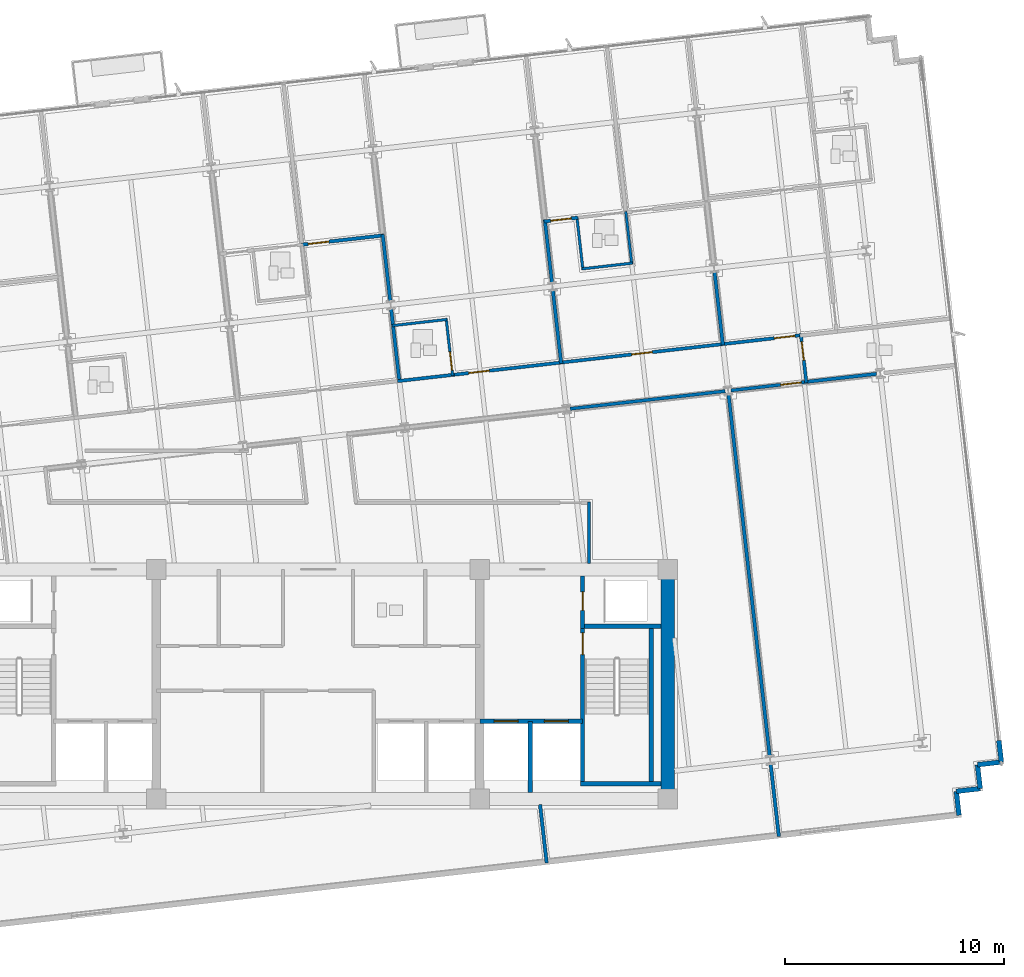
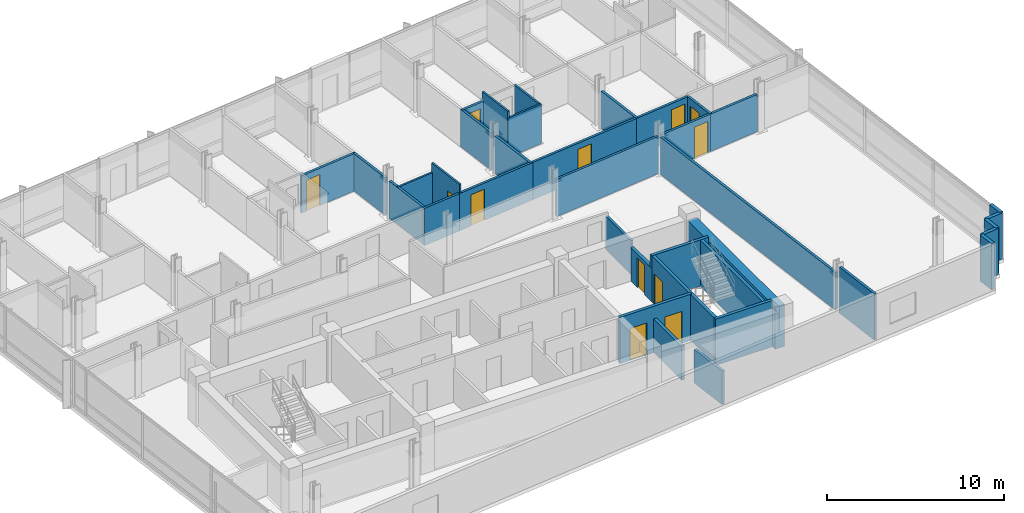
# One storey, part 10 of 17: 37 walls, 12 doors, 12 openings.
"""IFC4 building model written with IfcOpenShell, lengths in metres."""

from ifc_helpers import new_model, si_unit, direction, frame, frame_2d, origin, place, context, subcontext, project, spatial, rectangle, extrude, material, layer, layer_set, type_object, element, fill, save


model = new_model("IFC4")

# Units and contexts
model_context = context("Model", 3, precision=1e-05, world=origin(), true_north=direction((0.0, 1.0)))
body_context = subcontext(model_context, "Body", "Model", "MODEL_VIEW")
ifc_project = project(units=[si_unit("LENGTHUNIT", "METRE"), si_unit("AREAUNIT", "SQUARE_METRE"), si_unit("VOLUMEUNIT", "CUBIC_METRE"), si_unit("PLANEANGLEUNIT", "RADIAN"), si_unit("MASSUNIT", "GRAM", prefix="KILO")], contexts=[model_context])

# Site, building, storey
site_placement = place(None, origin())
site = spatial("IfcSite", under=ifc_project, at=site_placement, CompositionType="ELEMENT")
building_placement = place(site_placement, origin())
building = spatial("IfcBuilding", under=site, at=building_placement, Name="Solmavex Isthmus Hotel", CompositionType="ELEMENT")
storey_placement = place(building_placement, frame((0.0, 0.0, 195.14990234375)))
storey = spatial("IfcBuildingStorey", under=building, at=storey_placement, Name="L52", CompositionType="ELEMENT", Elevation=195.14990234375)

# Walls
ifc_material_1 = material(Name="Precast Concrete C40/50", Category="concrete")
ifc_layer_1 = layer(ifc_material_1, 0.25)
ifc_layer_set_1 = layer_set([ifc_layer_1], Name="Precast Concrete C40/50")
wall_type_1 = type_object("IfcWallType", Name="EW-TWR-250", PredefinedType="STANDARD", material=ifc_layer_set_1)
wall_1_placement = place(storey_placement, frame((31.1474609375, -10.328125, 0.0), z_axis=(0.0, 0.0, 1.0), x_axis=(0.113191877531, -0.993573147212, 0.0)))
element("IfcWall", 1, at=wall_1_placement, inside=storey, type_object=wall_type_1, Name="Serrated Corner Facade Panel L52-21", PredefinedType="STANDARD", context=body_context, shape_type="SweptSolid", body=[
    extrude(rectangle(XDim=0.989990234375, YDim=0.219970703125, at=frame_2d((0.4951171875, 0.0))), origin(), (0.0, 0.0, 1.0), 3.190185546875),
])
wall_2_placement = place(storey_placement, frame((31.259521484375, -11.311767578125, 0.0), z_axis=(0.0, 0.0, 1.0), x_axis=(-0.99357409499, -0.113183557839, 0.0)))
element("IfcWall", 2, at=wall_2_placement, inside=storey, type_object=wall_type_1, Name="Serrated Corner Facade Panel L52-22", PredefinedType="STANDARD", context=body_context, shape_type="SweptSolid", body=[
    extrude(rectangle(XDim=1.10009765625, YDim=0.219970703125, at=frame_2d((0.550048828125, 0.0))), origin(), (0.0, 0.0, 1.0), 3.190185546875),
])
wall_3_placement = place(storey_placement, frame((30.16650390625, -11.436279296875, 0.0), z_axis=(0.0, 0.0, 1.0), x_axis=(0.113427644885, -0.993546259303, 0.0)))
element("IfcWall", 3, at=wall_3_placement, inside=storey, type_object=wall_type_1, Name="Serrated Corner Facade Panel L52-23", PredefinedType="STANDARD", context=body_context, shape_type="SweptSolid", body=[
    extrude(rectangle(XDim=1.099853515625, YDim=0.219970703125, at=frame_2d((0.5498046875, 0.0))), origin(), (0.0, 0.0, 1.0), 3.190185546875),
])
for number, where, z_axis, x_axis, name in (
    (4, (30.291259765625, -12.529052734375, 0.0), (0.0, 0.0, 1.0), (-0.99357409499, -0.113183557839, 0.0), "Serrated Corner Facade Panel L52-24"),
    (5, (29.1982421875, -12.653564453125, 0.0), (0.0, 0.0, 1.0), (0.113183557839, -0.99357409499, 0.0), "Serrated Corner Facade Panel L52-25"),
):
    element("IfcWall", number, at=place(storey_placement, frame(where, z_axis=z_axis, x_axis=x_axis)), inside=storey, type_object=wall_type_1, Name=name, PredefinedType="STANDARD", context=body_context, shape_type="SweptSolid", body=[
        extrude(rectangle(XDim=1.10009765625, YDim=0.219970703125, at=frame_2d((0.550048828125, 0.0))), origin(), (0.0, 0.0, 1.0), 3.190185546875),
    ])

# Wall, opening, door
ifc_material_2 = material(Name="Gypsum plasterboard lining", Category="gypsum")
ifc_layer_2 = layer(ifc_material_2, 0.159912109375)
ifc_layer_set_2 = layer_set([ifc_layer_2], Name="Gypsum plasterboard lining")
wall_type_2 = type_object("IfcWallType", Name="IW-COMP-160", PredefinedType="PARTITIONING", material=ifc_layer_set_2)
wall_4_placement = place(storey_placement, frame((-0.778076171875, 12.3515625, 0.0), z_axis=(0.0, 0.0, 1.0), x_axis=(0.993567388358, 0.113242416041, 0.0)))
wall_4 = element("IfcWall", 6, at=wall_4_placement, inside=storey, type_object=wall_type_2, Name="Interior Partition Wall W-L52-P044", PredefinedType="PARTITIONING", context=body_context, shape_type="SweptSolid", body=[
    extrude(rectangle(XDim=3.802978515625, YDim=0.159912109375, at=frame_2d((1.9013671875, 0.0))), origin(), (0.0, 0.0, 1.0), 2.572509765625),
])
opening_1_placement = place(wall_4_placement, frame((0.331787109375, 0.0, 0.0)))
opening_1 = element("IfcOpeningElement", 7, at=opening_1_placement, cuts=wall_4, Name="Opening ID-C095", PredefinedType="OPENING", context=body_context, shape_type="SweptSolid", body=[
    extrude(rectangle(XDim=0.949951171875, YDim=2.14990234375, at=frame_2d((0.47509765625, 1.074951171875))), frame((0.0, 0.08984375, 0.0), z_axis=(0.0, -1.0, 0.0), x_axis=(1.0, 0.0, 0.0)), (0.0, 0.0, 1.0), 0.179931640625),
])
ifc_material_3 = material(Name="Hardwood timber", Category="wood")
door_type_1 = type_object("IfcDoorType", Name="IDR-FD60-0950", OperationType="NOTDEFINED", PredefinedType="DOOR", material=ifc_material_3)
door_1_placement = place(opening_1_placement, origin())
door_1 = element("IfcDoor", 8, at=door_1_placement, inside=storey, type_object=door_type_1, Name="Diplomatic Hospitality Suite Sitting Lounge Door L52-09", OperationType="SINGLE_SWING_LEFT", OverallHeight=2.14990234375, OverallWidth=0.949951171875, PredefinedType="DOOR", context=body_context, shape_type="SweptSolid", body=[
    extrude(rectangle(XDim=0.949951171875, YDim=2.14990234375, at=frame_2d((0.47509765625, 1.074951171875))), frame((0.0, 0.02490234375, 0.0), z_axis=(0.0, -1.0, 0.0), x_axis=(1.0, 0.0, 0.0)), (0.0, 0.0, 1.0), 0.050048828125),
])
fill(opening_1, door_1)

# Walls
wall_5_placement = place(storey_placement, frame((2.9560546875, 12.8173828125, 0.0), z_axis=(0.0, 0.0, 1.0), x_axis=(0.113238680134, -0.993567814153, 0.0)))
element("IfcWall", 9, at=wall_5_placement, inside=storey, type_object=wall_type_2, Name="Interior Partition Wall W-L52-P048", PredefinedType="PARTITIONING", context=body_context, shape_type="SweptSolid", body=[
    extrude(rectangle(XDim=3.063720703125, YDim=0.159912109375, at=frame_2d((1.53173828125, 0.0))), origin(), (0.0, 0.0, 1.0), 2.572509765625),
])
wall_6_placement = place(storey_placement, frame((3.3427734375, 9.4228515625, 0.0), z_axis=(0.0, 0.0, 1.0), x_axis=(0.113229088195, -0.993568907317, 0.0)))
element("IfcWall", 10, at=wall_6_placement, inside=storey, type_object=wall_type_2, Name="Interior Partition Wall W-L52-P049", PredefinedType="PARTITIONING", context=body_context, shape_type="SweptSolid", body=[
    extrude(rectangle(XDim=3.361572265625, YDim=0.159912109375, at=frame_2d((1.6806640625, 0.0))), origin(), (0.0, 0.0, 1.0), 2.572509765625),
])
wall_7_placement = place(storey_placement, frame((10.3720703125, 13.503173828125, 0.0), z_axis=(0.0, 0.0, 1.0), x_axis=(0.113271679876, -0.993564052559, 0.0)))
element("IfcWall", 11, at=wall_7_placement, inside=storey, type_object=wall_type_2, Name="Interior Partition Wall W-L52-P056", PredefinedType="PARTITIONING", context=body_context, shape_type="SweptSolid", body=[
    extrude(rectangle(XDim=2.905517578125, YDim=0.159912109375, at=frame_2d((1.45263671875, 0.0))), origin(), (0.0, 0.0, 1.0), 2.572509765625),
])
wall_8_placement = place(storey_placement, frame((10.740966796875, 10.265869140625, 0.0), z_axis=(0.0, 0.0, 1.0), x_axis=(0.113220917918, -0.993569838384, 0.0)))
element("IfcWall", 12, at=wall_8_placement, inside=storey, type_object=wall_type_2, Name="Interior Partition Wall W-L52-P057", PredefinedType="PARTITIONING", context=body_context, shape_type="SweptSolid", body=[
    extrude(rectangle(XDim=3.36181640625, YDim=0.159912109375, at=frame_2d((1.680908203125, 0.0))), origin(), (0.0, 0.0, 1.0), 2.572509765625),
])

# Wall, opening, door
wall_9_placement = place(storey_placement, frame((10.341796875, 13.417236328125, 0.0), z_axis=(0.0, 0.0, 1.0), x_axis=(0.993573147212, 0.113191877531, 0.0)))
wall_9 = element("IfcWall", 13, at=wall_9_placement, inside=storey, type_object=wall_type_2, Name="Interior Partition Wall W-L52-P060", PredefinedType="PARTITIONING", context=body_context, shape_type="SweptSolid", body=[
    extrude(rectangle(XDim=1.552978515625, YDim=0.159912109375, at=frame_2d((0.7763671875, 0.0))), origin(), (0.0, 0.0, 1.0), 2.572509765625),
])
opening_2_placement = place(wall_9_placement, frame((0.301513671875, 0.0, 0.0)))
opening_2 = element("IfcOpeningElement", 14, at=opening_2_placement, cuts=wall_9, Name="Opening ID-C095", PredefinedType="OPENING", context=body_context, shape_type="SweptSolid", body=[
    extrude(rectangle(XDim=0.949951171875, YDim=2.14990234375, at=frame_2d((0.47509765625, 1.074951171875))), frame((0.0, 0.08984375, 0.0), z_axis=(0.0, -1.0, 0.0), x_axis=(1.0, 0.0, 0.0)), (0.0, 0.0, 1.0), 0.179931640625),
])
door_2_placement = place(opening_2_placement, origin())
door_2 = element("IfcDoor", 15, at=door_2_placement, inside=storey, type_object=door_type_1, Name="Premier Suite Master Bedroom Door L52-14", OperationType="SINGLE_SWING_RIGHT", OverallHeight=2.14990234375, OverallWidth=0.949951171875, PredefinedType="DOOR", context=body_context, shape_type="SweptSolid", body=[
    extrude(rectangle(XDim=0.949951171875, YDim=2.14990234375, at=frame_2d((0.47509765625, 1.074951171875))), frame((0.0, 0.02490234375, 0.0), z_axis=(0.0, -1.0, 0.0), x_axis=(1.0, 0.0, 0.0)), (0.0, 0.0, 1.0), 0.050048828125),
])
fill(opening_2, door_2)

# Walls
wall_10_placement = place(storey_placement, frame((18.13916015625, 11.108642578125, 0.0), z_axis=(0.0, 0.0, 1.0), x_axis=(0.113229088195, -0.993568907317, 0.0)))
element("IfcWall", 16, at=wall_10_placement, inside=storey, type_object=wall_type_2, Name="Interior Partition Wall W-L52-P066", PredefinedType="PARTITIONING", context=body_context, shape_type="SweptSolid", body=[
    extrude(rectangle(XDim=3.361572265625, YDim=0.159912109375, at=frame_2d((1.6806640625, 0.0))), origin(), (0.0, 0.0, 1.0), 2.572509765625),
])
wall_11_placement = place(storey_placement, frame((25.546142578125, 6.44580078125, 0.0), z_axis=(0.0, 0.0, 1.0), x_axis=(-0.993568592225, -0.113231853041, 0.0)))
element("IfcWall", 17, at=wall_11_placement, inside=storey, type_object=wall_type_2, Name="Interior Partition Wall W-L52-P082", PredefinedType="PARTITIONING", context=body_context, shape_type="SweptSolid", body=[
    extrude(rectangle(XDim=3.281494140625, YDim=0.159912109375, at=frame_2d((1.640625, 0.0))), origin(), (0.0, 0.0, 1.0), 2.572509765625),
])
wall_12_placement = place(storey_placement, frame((10.154541015625, -13.26025390625, 0.0), z_axis=(0.0, 0.0, 1.0), x_axis=(0.113197562906, -0.993572499495, 0.0)))
element("IfcWall", 18, at=wall_12_placement, inside=storey, type_object=wall_type_2, Name="Interior Partition Wall W-L52-P085", PredefinedType="PARTITIONING", context=body_context, shape_type="SweptSolid", body=[
    extrude(rectangle(XDim=2.68310546875, YDim=0.159912109375, at=frame_2d((1.341552734375, 0.0))), origin(), (0.0, 0.0, 1.0), 2.3251953125),
])
wall_13_placement = place(storey_placement, frame((18.778564453125, 5.4970703125, 0.0), z_axis=(0.0, 0.0, 1.0), x_axis=(0.113202873157, -0.993571894484, 0.0)))
element("IfcWall", 19, at=wall_13_placement, inside=storey, type_object=wall_type_2, Name="Interior Partition Wall W-L52-P086", PredefinedType="PARTITIONING", context=body_context, shape_type="SweptSolid", body=[
    extrude(rectangle(XDim=16.647216796875, YDim=0.159912109375, at=frame_2d((8.32373046875, 0.0))), origin(), (0.0, 0.0, 1.0), 2.572509765625),
])
wall_14_placement = place(storey_placement, frame((20.702880859375, -11.3935546875, 0.0), z_axis=(0.0, 0.0, 1.0), x_axis=(0.113243883011, -0.993567221158, 0.0)))
element("IfcWall", 20, at=wall_14_placement, inside=storey, type_object=wall_type_2, Name="Interior Partition Wall W-L52-P087", PredefinedType="PARTITIONING", context=body_context, shape_type="SweptSolid", body=[
    extrude(rectangle(XDim=3.34375, YDim=0.159912109375, at=frame_2d((1.671875, 0.0))), origin(), (0.0, 0.0, 1.0), 3.190185546875),
])

# Wall, opening, door
ifc_layer_3 = layer(ifc_material_2, 0.14990234375)
ifc_layer_set_3 = layer_set([ifc_layer_3], Name="Gypsum plasterboard lining")
wall_type_3 = type_object("IfcWallType", Name="IW-CORR-150", PredefinedType="PARTITIONING", material=ifc_layer_set_3)
wall_15_placement = place(storey_placement, frame((6.07177734375, 6.390625, 0.0), z_axis=(0.0, 0.0, 1.0), x_axis=(0.993569374626, 0.113224987546, 0.0)))
wall_15 = element("IfcWall", 21, at=wall_15_placement, inside=storey, type_object=wall_type_3, Name="Interior Partition Wall W-L52-P005", PredefinedType="PARTITIONING", context=body_context, shape_type="SweptSolid", body=[
    extrude(rectangle(XDim=5.159912109375, YDim=0.14990234375, at=frame_2d((2.580078125, 0.0))), origin(), (0.0, 0.0, 1.0), 2.572509765625),
])
opening_3_placement = place(wall_15_placement, frame((0.82470703125, 0.0, 0.0)))
opening_3 = element("IfcOpeningElement", 22, at=opening_3_placement, cuts=wall_15, Name="Opening ID-C095", PredefinedType="OPENING", context=body_context, shape_type="SweptSolid", body=[
    extrude(rectangle(XDim=0.949951171875, YDim=2.14990234375, at=frame_2d((0.47509765625, 1.074951171875))), frame((0.0, 0.0849609375, 0.0), z_axis=(0.0, -1.0, 0.0), x_axis=(1.0, 0.0, 0.0)), (0.0, 0.0, 1.0), 0.169921875),
])
door_3_placement = place(opening_3_placement, origin())
door_3 = element("IfcDoor", 23, at=door_3_placement, inside=storey, type_object=door_type_1, Name="Ambassador Suite Door L52-11", OperationType="SINGLE_SWING_LEFT", OverallHeight=2.14990234375, OverallWidth=0.949951171875, PredefinedType="DOOR", context=body_context, shape_type="SweptSolid", body=[
    extrude(rectangle(XDim=0.949951171875, YDim=2.14990234375, at=frame_2d((0.47509765625, 1.074951171875))), frame((0.0, 0.02490234375, 0.0), z_axis=(0.0, -1.0, 0.0), x_axis=(1.0, 0.0, 0.0)), (0.0, 0.0, 1.0), 0.050048828125),
])
fill(opening_3, door_3)

# Wall
wall_16_placement = place(storey_placement, frame((3.637451171875, 6.11328125, 0.0), z_axis=(0.0, 0.0, 1.0), x_axis=(0.99356184061, 0.11329108034, 0.0)))
element("IfcWall", 24, at=wall_16_placement, inside=storey, type_object=wall_type_3, Name="Interior Partition Wall W-L52-P006", PredefinedType="PARTITIONING", context=body_context, shape_type="SweptSolid", body=[
    extrude(rectangle(XDim=2.614013671875, YDim=0.14990234375, at=frame_2d((1.30712890625, 0.0))), origin(), (0.0, 0.0, 1.0), 2.572509765625),
])

# Wall, opening, door
wall_17_placement = place(storey_placement, frame((11.03564453125, 6.956298828125, 0.0), z_axis=(0.0, 0.0, 1.0), x_axis=(0.993570360949, 0.113216332056, 0.0)))
wall_17 = element("IfcWall", 25, at=wall_17_placement, inside=storey, type_object=wall_type_3, Name="Interior Partition Wall W-L52-P007", PredefinedType="PARTITIONING", context=body_context, shape_type="SweptSolid", body=[
    extrude(rectangle(XDim=7.60986328125, YDim=0.14990234375, at=frame_2d((3.804931640625, 0.0))), origin(), (0.0, 0.0, 1.0), 2.572509765625),
])
opening_4_placement = place(wall_17_placement, frame((3.330078125, 0.0, 0.0)))
opening_4 = element("IfcOpeningElement", 26, at=opening_4_placement, cuts=wall_17, Name="Opening ID-C095", PredefinedType="OPENING", context=body_context, shape_type="SweptSolid", body=[
    extrude(rectangle(XDim=0.949951171875, YDim=2.14990234375, at=frame_2d((0.47509765625, 1.074951171875))), frame((0.0, 0.0849609375, 0.0), z_axis=(0.0, -1.0, 0.0), x_axis=(1.0, 0.0, 0.0)), (0.0, 0.0, 1.0), 0.169921875),
])
door_4_placement = place(opening_4_placement, origin())
door_4 = element("IfcDoor", 27, at=door_4_placement, inside=storey, type_object=door_type_1, Name="Premier Suite Living Salon Door L52-13", OperationType="SINGLE_SWING_LEFT", OverallHeight=2.14990234375, OverallWidth=0.949951171875, PredefinedType="DOOR", context=body_context, shape_type="SweptSolid", body=[
    extrude(rectangle(XDim=0.949951171875, YDim=2.14990234375, at=frame_2d((0.47509765625, 1.074951171875))), frame((0.0, 0.02490234375, 0.0), z_axis=(0.0, -1.0, 0.0), x_axis=(1.0, 0.0, 0.0)), (0.0, 0.0, 1.0), 0.050048828125),
])
fill(opening_4, door_4)

wall_18_placement = place(storey_placement, frame((18.43359375, 7.79931640625, 0.0), z_axis=(0.0, 0.0, 1.0), x_axis=(0.993578468541, 0.11314515832, 0.0)))
wall_18 = element("IfcWall", 28, at=wall_18_placement, inside=storey, type_object=wall_type_3, Name="Interior Partition Wall W-L52-P008", PredefinedType="PARTITIONING", context=body_context, shape_type="SweptSolid", body=[
    extrude(rectangle(XDim=3.72216796875, YDim=0.14990234375, at=frame_2d((1.861083984375, 0.0))), origin(), (0.0, 0.0, 1.0), 2.572509765625),
])
opening_5_placement = place(wall_18_placement, frame((2.456787109375, 0.0, 0.0)))
opening_5 = element("IfcOpeningElement", 29, at=opening_5_placement, cuts=wall_18, Name="Opening ID-C095", PredefinedType="OPENING", context=body_context, shape_type="SweptSolid", body=[
    extrude(rectangle(XDim=0.949951171875, YDim=2.14990234375, at=frame_2d((0.47509765625, 1.074951171875))), frame((0.0, 0.0849609375, 0.0), z_axis=(0.0, -1.0, 0.0), x_axis=(1.0, 0.0, 0.0)), (0.0, 0.0, 1.0), 0.169921875),
])
door_5_placement = place(opening_5_placement, origin())
door_5 = element("IfcDoor", 30, at=door_5_placement, inside=storey, type_object=door_type_1, Name="Corner Suite Entrance Hall Door L52-17", OperationType="SINGLE_SWING_LEFT", OverallHeight=2.14990234375, OverallWidth=0.949951171875, PredefinedType="DOOR", context=body_context, shape_type="SweptSolid", body=[
    extrude(rectangle(XDim=0.949951171875, YDim=2.14990234375, at=frame_2d((0.47509765625, 1.074951171875))), frame((0.0, 0.02490234375, 0.0), z_axis=(0.0, -1.0, 0.0), x_axis=(1.0, 0.0, 0.0)), (0.0, 0.0, 1.0), 0.050048828125),
])
fill(opening_5, door_5)

wall_19_placement = place(storey_placement, frame((22.08984375, 8.23583984375, 0.0), z_axis=(0.0, 0.0, 1.0), x_axis=(0.113122854389, -0.993581008179, 0.0)))
wall_19 = element("IfcWall", 31, at=wall_19_placement, inside=storey, type_object=wall_type_3, Name="Interior Partition Wall W-L52-P010", PredefinedType="PARTITIONING", context=body_context, shape_type="SweptSolid", body=[
    extrude(rectangle(XDim=2.2099609375, YDim=0.14990234375, at=frame_2d((1.10498046875, 0.0))), origin(), (0.0, 0.0, 1.0), 2.572509765625),
])
opening_6_placement = place(wall_19_placement, frame((0.322265625, 0.0, 0.0)))
opening_6 = element("IfcOpeningElement", 32, at=opening_6_placement, cuts=wall_19, Name="Opening ID-R085", PredefinedType="OPENING", context=body_context, shape_type="SweptSolid", body=[
    extrude(rectangle(XDim=0.85009765625, YDim=2.050048828125, at=frame_2d((0.425048828125, 1.02490234375))), frame((0.0, 0.0849609375, 0.0), z_axis=(0.0, -1.0, 0.0), x_axis=(1.0, 0.0, 0.0)), (0.0, 0.0, 1.0), 0.169921875),
])
ifc_material_4 = material(Name="Steel ASTM A500 Grade C", Category="steel")
door_type_2 = type_object("IfcDoorType", Name="IDR-FD60-0850", OperationType="NOTDEFINED", PredefinedType="DOOR", material=ifc_material_4)
door_6_placement = place(opening_6_placement, frame((0.85009765625, 0.0, 0.0), z_axis=(0.0, 0.0, 1.0), x_axis=(-1.0, 0.0, 0.0)))
door_6 = element("IfcDoor", 33, at=door_6_placement, inside=storey, type_object=door_type_2, Name="Public Restroom WC Door L52-22", OperationType="SINGLE_SWING_RIGHT", OverallHeight=2.050048828125, OverallWidth=0.85009765625, PredefinedType="DOOR", context=body_context, shape_type="SweptSolid", body=[
    extrude(rectangle(XDim=0.85009765625, YDim=2.050048828125, at=frame_2d((0.425048828125, 1.02490234375))), frame((0.0, 0.02490234375, 0.0), z_axis=(0.0, -1.0, 0.0), x_axis=(1.0, 0.0, 0.0)), (0.0, 0.0, 1.0), 0.050048828125),
])
fill(opening_6, door_6)

# Walls
wall_20_placement = place(storey_placement, frame((12.39990234375, 0.590087890625, 0.0), z_axis=(0.0, 0.0, 1.0), x_axis=(0.0, -1.0, 0.0)))
element("IfcWall", 34, at=wall_20_placement, inside=storey, type_object=wall_type_3, Name="Interior Partition Wall W-L52-P021", PredefinedType="PARTITIONING", context=body_context, shape_type="SweptSolid", body=[
    extrude(rectangle(XDim=2.830078125, YDim=0.14990234375, at=frame_2d((1.4150390625, 0.0))), origin(), (0.0, 0.0, 1.0), 2.3251953125),
])
wall_21_placement = place(storey_placement, frame((18.625, 5.6572265625, 0.0), z_axis=(0.0, 0.0, 1.0), x_axis=(-0.993569785772, -0.11322137961, 0.0)))
element("IfcWall", 35, at=wall_21_placement, inside=storey, type_object=wall_type_3, Name="Interior Partition Wall W-L52-P023", PredefinedType="PARTITIONING", context=body_context, shape_type="SweptSolid", body=[
    extrude(rectangle(XDim=7.13525390625, YDim=0.14990234375, at=frame_2d((3.567626953125, 0.0))), origin(), (0.0, 0.0, 1.0), 2.572509765625),
])

# Wall, opening, door
wall_22_placement = place(storey_placement, frame((22.375244140625, 6.08447265625, 0.0), z_axis=(0.0, 0.0, 1.0), x_axis=(-0.993568982909, -0.113228424882, 0.0)))
wall_22 = element("IfcWall", 36, at=wall_22_placement, inside=storey, type_object=wall_type_3, Name="Interior Partition Wall W-L52-P024", PredefinedType="PARTITIONING", context=body_context, shape_type="SweptSolid", body=[
    extrude(rectangle(XDim=3.505859375, YDim=0.14990234375, at=frame_2d((1.7529296875, 0.0))), origin(), (0.0, 0.0, 1.0), 2.572509765625),
])
opening_7_placement = place(wall_22_placement, frame((0.270751953125, 0.0, 0.0)))
opening_7 = element("IfcOpeningElement", 37, at=opening_7_placement, cuts=wall_22, Name="Opening ID-C095", PredefinedType="OPENING", context=body_context, shape_type="SweptSolid", body=[
    extrude(rectangle(XDim=0.949951171875, YDim=2.14990234375, at=frame_2d((0.47509765625, 1.074951171875))), frame((0.0, 0.0849609375, 0.0), z_axis=(0.0, -1.0, 0.0), x_axis=(1.0, 0.0, 0.0)), (0.0, 0.0, 1.0), 0.169921875),
])
door_7_placement = place(opening_7_placement, origin())
door_7 = element("IfcDoor", 38, at=door_7_placement, inside=storey, type_object=door_type_1, Name="Corporate Briefing Office Door L52-27", OperationType="SINGLE_SWING_LEFT", OverallHeight=2.14990234375, OverallWidth=0.949951171875, PredefinedType="DOOR", context=body_context, shape_type="SweptSolid", body=[
    extrude(rectangle(XDim=0.949951171875, YDim=2.14990234375, at=frame_2d((0.47509765625, 1.074951171875))), frame((0.0, 0.02490234375, 0.0), z_axis=(0.0, -1.0, 0.0), x_axis=(1.0, 0.0, 0.0)), (0.0, 0.0, 1.0), 0.050048828125),
])
fill(opening_7, door_7)

ifc_layer_4 = layer(ifc_material_2, 0.1201171875)
ifc_layer_set_4 = layer_set([ifc_layer_4], Name="Gypsum plasterboard lining")
wall_type_4 = type_object("IfcWallType", Name="IW-PART-120", PredefinedType="PARTITIONING", material=ifc_layer_set_4)
wall_23_placement = place(storey_placement, frame((6.15771484375, 6.3603515625, 0.0), z_axis=(0.0, 0.0, 1.0), x_axis=(-0.113253358145, 0.993566141165, 0.0)))
wall_23 = element("IfcWall", 39, at=wall_23_placement, inside=storey, type_object=wall_type_4, Name="Interior Partition Wall W-L52-P054", PredefinedType="PARTITIONING", context=body_context, shape_type="SweptSolid", body=[
    extrude(rectangle(XDim=2.6298828125, YDim=0.1201171875, at=frame_2d((1.31494140625, 0.0))), origin(), (0.0, 0.0, 1.0), 3.190185546875),
])
opening_8_placement = place(wall_23_placement, frame((0.247314453125, 0.0, 0.0)))
opening_8 = element("IfcOpeningElement", 40, at=opening_8_placement, cuts=wall_23, Name="Opening ID-U085", PredefinedType="OPENING", context=body_context, shape_type="SweptSolid", body=[
    extrude(rectangle(XDim=0.85009765625, YDim=2.10009765625, at=frame_2d((0.425048828125, 1.050048828125))), frame((0.0, 0.070068359375, 0.0), z_axis=(0.0, -1.0, 0.0), x_axis=(1.0, 0.0, 0.0)), (0.0, 0.0, 1.0), 0.14013671875),
])
door_type_3 = type_object("IfcDoorType", Name="IDR-UNR-0850", OperationType="NOTDEFINED", PredefinedType="DOOR", material=ifc_material_3)
door_8_placement = place(opening_8_placement, frame((0.85009765625, 0.0, 0.0), z_axis=(0.0, 0.0, 1.0), x_axis=(-1.0, 0.0, 0.0)))
door_8 = element("IfcDoor", 41, at=door_8_placement, inside=storey, type_object=door_type_3, Name="En-suite Bathroom Door L52-12", OperationType="SINGLE_SWING_RIGHT", OverallHeight=2.10009765625, OverallWidth=0.85009765625, PredefinedType="DOOR", context=body_context, shape_type="SweptSolid", body=[
    extrude(rectangle(XDim=0.85009765625, YDim=2.10009765625, at=frame_2d((0.425048828125, 1.050048828125))), frame((0.0, 0.02490234375, 0.0), z_axis=(0.0, -1.0, 0.0), x_axis=(1.0, 0.0, 0.0)), (0.0, 0.0, 1.0), 0.050048828125),
])
fill(opening_8, door_8)

# Walls
wall_24_placement = place(storey_placement, frame((5.904296875, 8.938232421875, 0.0), z_axis=(0.0, 0.0, 1.0), x_axis=(-0.993573971379, -0.113184642947, 0.0)))
element("IfcWall", 42, at=wall_24_placement, inside=storey, type_object=wall_type_4, Name="Interior Partition Wall W-L52-P055", PredefinedType="PARTITIONING", context=body_context, shape_type="SweptSolid", body=[
    extrude(rectangle(XDim=2.5302734375, YDim=0.1201171875, at=frame_2d((1.26513671875, 0.0))), origin(), (0.0, 0.0, 1.0), 2.572509765625),
])
wall_25_placement = place(storey_placement, frame((11.84033203125, 13.62841796875, 0.0), z_axis=(0.0, 0.0, 1.0), x_axis=(0.11322075119, -0.993569857383, 0.0)))
element("IfcWall", 43, at=wall_25_placement, inside=storey, type_object=wall_type_4, Name="Interior Partition Wall W-L52-P062", PredefinedType="PARTITIONING", context=body_context, shape_type="SweptSolid", body=[
    extrude(rectangle(XDim=2.43017578125, YDim=0.1201171875, at=frame_2d((1.215087890625, 0.0))), origin(), (0.0, 0.0, 1.0), 3.190185546875),
])
wall_26_placement = place(storey_placement, frame((12.0712890625, 11.249267578125, 0.0), z_axis=(0.0, 0.0, 1.0), x_axis=(0.99357583204, 0.113168308226, 0.0)))
element("IfcWall", 44, at=wall_26_placement, inside=storey, type_object=wall_type_4, Name="Interior Partition Wall W-L52-P063", PredefinedType="PARTITIONING", context=body_context, shape_type="SweptSolid", body=[
    extrude(rectangle(XDim=2.329833984375, YDim=0.1201171875, at=frame_2d((1.1650390625, 0.0))), origin(), (0.0, 0.0, 1.0), 2.71826171875),
])
wall_27_placement = place(storey_placement, frame((14.35107421875, 11.46875, 0.0), z_axis=(0.0, 0.0, 1.0), x_axis=(-0.113232053563, 0.993568569373, 0.0)))
element("IfcWall", 45, at=wall_27_placement, inside=storey, type_object=wall_type_4, Name="Interior Partition Wall W-L52-P064", PredefinedType="PARTITIONING", context=body_context, shape_type="SweptSolid", body=[
    extrude(rectangle(XDim=2.429931640625, YDim=0.1201171875, at=frame_2d((1.21484375, 0.0))), origin(), (0.0, 0.0, 1.0), 2.71826171875),
])

# Wall, opening, door
ifc_material_5 = material(Name="Concrete C40/50", Category="concrete")
ifc_layer_5 = layer(ifc_material_5, 0.199951171875)
ifc_layer_set_5 = layer_set([ifc_layer_5], Name="Concrete C40/50")
wall_type_5 = type_object("IfcWallType", Name="IW-SHAFT-200", PredefinedType="PARTITIONING", material=ifc_layer_set_5)
wall_28_placement = place(storey_placement, frame((12.10009765625, -5.199951171875, 0.0), z_axis=(0.0, 0.0, 1.0), x_axis=(0.0, 1.0, 0.0)))
wall_28 = element("IfcWall", 46, at=wall_28_placement, inside=storey, type_object=wall_type_5, Name="Interior Partition Wall W-L52-RSE-W", PredefinedType="PARTITIONING", context=body_context, shape_type="SweptSolid", body=[
    extrude(rectangle(XDim=2.39990234375, YDim=0.199951171875, at=frame_2d((1.199951171875, 0.0))), origin(), (0.0, 0.0, 1.0), 2.3251953125),
])
opening_9_placement = place(wall_28_placement, frame((0.824951171875, 0.0, 0.0)))
opening_9 = element("IfcOpeningElement", 47, at=opening_9_placement, cuts=wall_28, Name="Opening ID-R085", PredefinedType="OPENING", context=body_context, shape_type="SweptSolid", body=[
    extrude(rectangle(XDim=0.85009765625, YDim=2.050048828125, at=frame_2d((0.425048828125, 1.02490234375))), frame((0.0, 0.10986328125, 0.0), z_axis=(0.0, -1.0, 0.0), x_axis=(1.0, 0.0, 0.0)), (0.0, 0.0, 1.0), 0.219970703125),
])
door_9_placement = place(opening_9_placement, frame((0.85009765625, 0.0, 0.0), z_axis=(0.0, 0.0, 1.0), x_axis=(-1.0, 0.0, 0.0)))
door_9 = element("IfcDoor", 48, at=door_9_placement, inside=storey, type_object=door_type_2, Name="Mechanical Riser Door L52", OperationType="SINGLE_SWING_LEFT", OverallHeight=2.050048828125, OverallWidth=0.85009765625, PredefinedType="DOOR", context=body_context, shape_type="SweptSolid", body=[
    extrude(rectangle(XDim=0.85009765625, YDim=2.050048828125, at=frame_2d((0.425048828125, 1.02490234375))), frame((0.0, 0.02490234375, 0.0), z_axis=(0.0, -1.0, 0.0), x_axis=(1.0, 0.0, 0.0)), (0.0, 0.0, 1.0), 0.050048828125),
])
fill(opening_9, door_9)

# Wall, openings, doors
wall_29_placement = place(storey_placement, frame((7.39990234375, -9.449951171875, 0.0), z_axis=(0.0, 0.0, 1.0), x_axis=(1.0, 0.0, 0.0)))
wall_29 = element("IfcWall", 49, at=wall_29_placement, inside=storey, type_object=wall_type_5, Name="Interior Partition Wall W-L52-FFLE-S", PredefinedType="PARTITIONING", context=body_context, shape_type="SweptSolid", body=[
    extrude(rectangle(XDim=4.7001953125, YDim=0.199951171875, at=frame_2d((2.35009765625, 0.0))), origin(), (0.0, 0.0, 1.0), 3.190185546875),
])
opening_10_placement = place(wall_29_placement, frame((2.949951171875, 0.0, 0.0)))
opening_10 = element("IfcOpeningElement", 50, at=opening_10_placement, cuts=wall_29, Name="Opening LD-FF", PredefinedType="OPENING", context=body_context, shape_type="SweptSolid", body=[
    extrude(rectangle(XDim=1.10009765625, YDim=2.199951171875, at=frame_2d((0.550048828125, 1.10009765625))), frame((0.0, 0.10986328125, 0.0), z_axis=(0.0, -1.0, 0.0), x_axis=(1.0, 0.0, 0.0)), (0.0, 0.0, 1.0), 0.219970703125),
])
opening_11_placement = place(wall_29_placement, frame((0.64990234375, 0.0, 0.0)))
opening_11 = element("IfcOpeningElement", 51, at=opening_11_placement, cuts=wall_29, Name="Opening LD-SV", PredefinedType="OPENING", context=body_context, shape_type="SweptSolid", body=[
    extrude(rectangle(XDim=1.10009765625, YDim=2.199951171875, at=frame_2d((0.550048828125, 1.10009765625))), frame((0.0, 0.10986328125, 0.0), z_axis=(0.0, -1.0, 0.0), x_axis=(1.0, 0.0, 0.0)), (0.0, 0.0, 1.0), 0.219970703125),
])
ifc_material_6 = material(Name="Stainless steel 316", Category="steel")
door_type_4 = type_object("IfcDoorType", Name="LDR-FF-1100", OperationType="NOTDEFINED", PredefinedType="DOOR", material=ifc_material_6)
door_10_placement = place(opening_10_placement, origin())
door_10 = element("IfcDoor", 52, at=door_10_placement, inside=storey, type_object=door_type_4, Name="Lift Landing Door FFL-2 L52", OperationType="SLIDING_TO_LEFT", OverallHeight=2.199951171875, OverallWidth=1.10009765625, PredefinedType="DOOR", context=body_context, shape_type="SweptSolid", body=[
    extrude(rectangle(XDim=1.10009765625, YDim=2.199951171875, at=frame_2d((0.550048828125, 1.10009765625))), frame((0.0, 0.02490234375, 0.0), z_axis=(0.0, -1.0, 0.0), x_axis=(1.0, 0.0, 0.0)), (0.0, 0.0, 1.0), 0.050048828125),
])
fill(opening_10, door_10)
door_type_5 = type_object("IfcDoorType", Name="LDR-SV-1100", OperationType="NOTDEFINED", PredefinedType="DOOR", material=ifc_material_6)
door_11_placement = place(opening_11_placement, origin())
door_11 = element("IfcDoor", 53, at=door_11_placement, inside=storey, type_object=door_type_5, Name="Lift Landing Door SVL-2 L52", OperationType="SLIDING_TO_RIGHT", OverallHeight=2.199951171875, OverallWidth=1.10009765625, PredefinedType="DOOR", context=body_context, shape_type="SweptSolid", body=[
    extrude(rectangle(XDim=1.10009765625, YDim=2.199951171875, at=frame_2d((0.550048828125, 1.10009765625))), frame((0.0, 0.02490234375, 0.0), z_axis=(0.0, -1.0, 0.0), x_axis=(1.0, 0.0, 0.0)), (0.0, 0.0, 1.0), 0.050048828125),
])
fill(opening_11, door_11)

# Walls
wall_30_placement = place(storey_placement, frame((9.699951171875, -12.699951171875, 0.0), z_axis=(0.0, 0.0, 1.0), x_axis=(0.0, 1.0, 0.0)))
element("IfcWall", 54, at=wall_30_placement, inside=storey, type_object=wall_type_5, Name="Interior Partition Wall W-L52-FFLE-M", PredefinedType="PARTITIONING", context=body_context, shape_type="SweptSolid", body=[
    extrude(rectangle(XDim=3.25, YDim=0.199951171875, at=frame_2d((1.625, 0.0))), origin(), (0.0, 0.0, 1.0), 2.3251953125),
])
ifc_material_7 = material(Name="Concrete C50/60", Category="concrete")
ifc_layer_6 = layer(ifc_material_7, 0.60009765625)
ifc_layer_set_6 = layer_set([ifc_layer_6], Name="Concrete C50/60")
wall_type_6 = type_object("IfcWallType", Name="WALL-CW-600", PredefinedType="SHEAR", material=ifc_layer_set_6)
wall_31_placement = place(storey_placement, frame((16.0, -12.699951171875, 0.0), z_axis=(0.0, 0.0, 1.0), x_axis=(0.0, 1.0, 0.0)))
element("IfcWall", 55, at=wall_31_placement, inside=storey, type_object=wall_type_6, Name="Core Shear Wall East L52", PredefinedType="SHEAR", context=body_context, shape_type="SweptSolid", body=[
    extrude(rectangle(XDim=9.89990234375, YDim=0.60009765625, at=frame_2d((4.949951171875, 0.0))), origin(), (0.0, 0.0, 1.0), 2.91015625),
])
ifc_layer_7 = layer(ifc_material_5, 0.199951171875)
ifc_layer_set_7 = layer_set([ifc_layer_7], Name="Concrete C40/50")
wall_type_7 = type_object("IfcWallType", Name="WALL-SW-200", PredefinedType="SOLIDWALL", material=ifc_layer_set_7)
for number, where, z_axis, x_axis, name in (
    (56, (12.0, -12.300048828125, 0.0), (0.0, 0.0, 1.0), (1.0, 0.0, 0.0), "Stairwell Structural Wall SW-L52-ST2-S"),
    (57, (12.0, -5.10009765625, 0.0), (0.0, 0.0, 1.0), (1.0, 0.0, 0.0), "Stairwell Structural Wall SW-L52-ST2-N"),
):
    element("IfcWall", number, at=place(storey_placement, frame(where, z_axis=z_axis, x_axis=x_axis)), inside=storey, type_object=wall_type_7, Name=name, PredefinedType="SOLIDWALL", context=body_context, shape_type="SweptSolid", body=[
        extrude(rectangle(XDim=3.699951171875, YDim=0.199951171875, at=frame_2d((1.85009765625, 0.0))), origin(), (0.0, 0.0, 1.0), 3.190185546875),
    ])

# Wall, opening, door
wall_32_placement = place(storey_placement, frame((12.10009765625, -12.199951171875, 0.0), z_axis=(0.0, 0.0, 1.0), x_axis=(0.0, 1.0, 0.0)))
wall_32 = element("IfcWall", 58, at=wall_32_placement, inside=storey, type_object=wall_type_7, Name="Stairwell Structural Wall SW-L52-ST2-W", PredefinedType="SOLIDWALL", context=body_context, shape_type="SweptSolid", body=[
    extrude(rectangle(XDim=7.0, YDim=0.199951171875, at=frame_2d((3.5, 0.0))), origin(), (0.0, 0.0, 1.0), 3.190185546875),
])
opening_12_placement = place(wall_32_placement, frame((5.800048828125, 0.0, 0.0)))
opening_12 = element("IfcOpeningElement", 59, at=opening_12_placement, cuts=wall_32, Name="Opening ID-F100", PredefinedType="OPENING", context=body_context, shape_type="SweptSolid", body=[
    extrude(rectangle(XDim=1.0, YDim=2.10009765625, at=frame_2d((0.5, 1.050048828125))), frame((0.0, 0.10986328125, 0.0), z_axis=(0.0, -1.0, 0.0), x_axis=(1.0, 0.0, 0.0)), (0.0, 0.0, 1.0), 0.219970703125),
])
door_type_6 = type_object("IfcDoorType", Name="IDR-FD90-1000", OperationType="NOTDEFINED", PredefinedType="DOOR", material=ifc_material_4)
door_12_placement = place(opening_12_placement, origin())
door_12 = element("IfcDoor", 60, at=door_12_placement, inside=storey, type_object=door_type_6, Name="Stair ST-2 Fire Door L52", OperationType="SINGLE_SWING_RIGHT", OverallHeight=2.10009765625, OverallWidth=1.0, PredefinedType="DOOR", context=body_context, shape_type="SweptSolid", body=[
    extrude(rectangle(XDim=1.0, YDim=2.10009765625, at=frame_2d((0.5, 1.050048828125))), frame((0.0, 0.02490234375, 0.0), z_axis=(0.0, -1.0, 0.0), x_axis=(1.0, 0.0, 0.0)), (0.0, 0.0, 1.0), 0.050048828125),
])
fill(opening_12, door_12)

# Wall
wall_33_placement = place(storey_placement, frame((15.25, -12.199951171875, 0.0), z_axis=(0.0, 0.0, 1.0), x_axis=(0.0, 1.0, 0.0)))
element("IfcWall", 61, at=wall_33_placement, inside=storey, type_object=wall_type_7, Name="Stairwell Structural Wall SW-L52-ST2-E", PredefinedType="SOLIDWALL", context=body_context, shape_type="SweptSolid", body=[
    extrude(rectangle(XDim=7.0, YDim=0.199951171875, at=frame_2d((3.5, 0.0))), origin(), (0.0, 0.0, 1.0), 3.190185546875),
])

save(model, "model.ifc")
